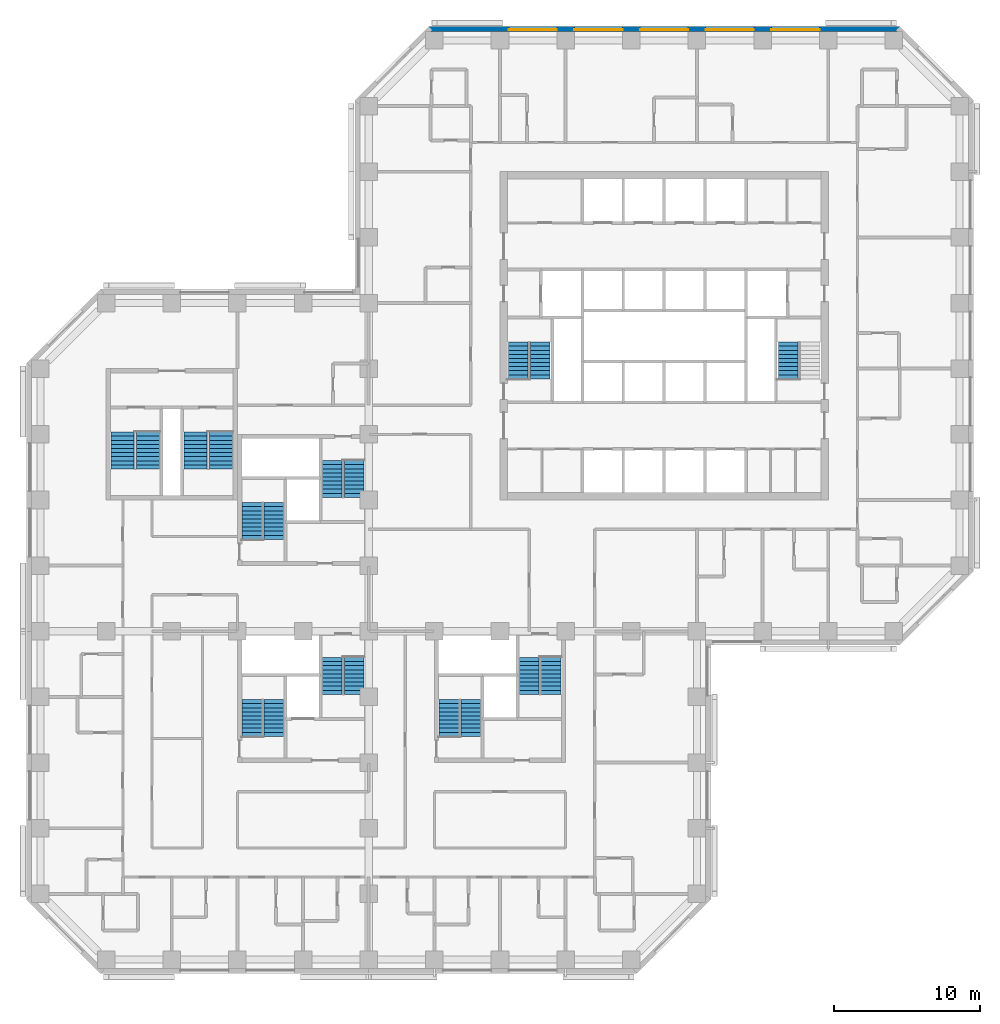
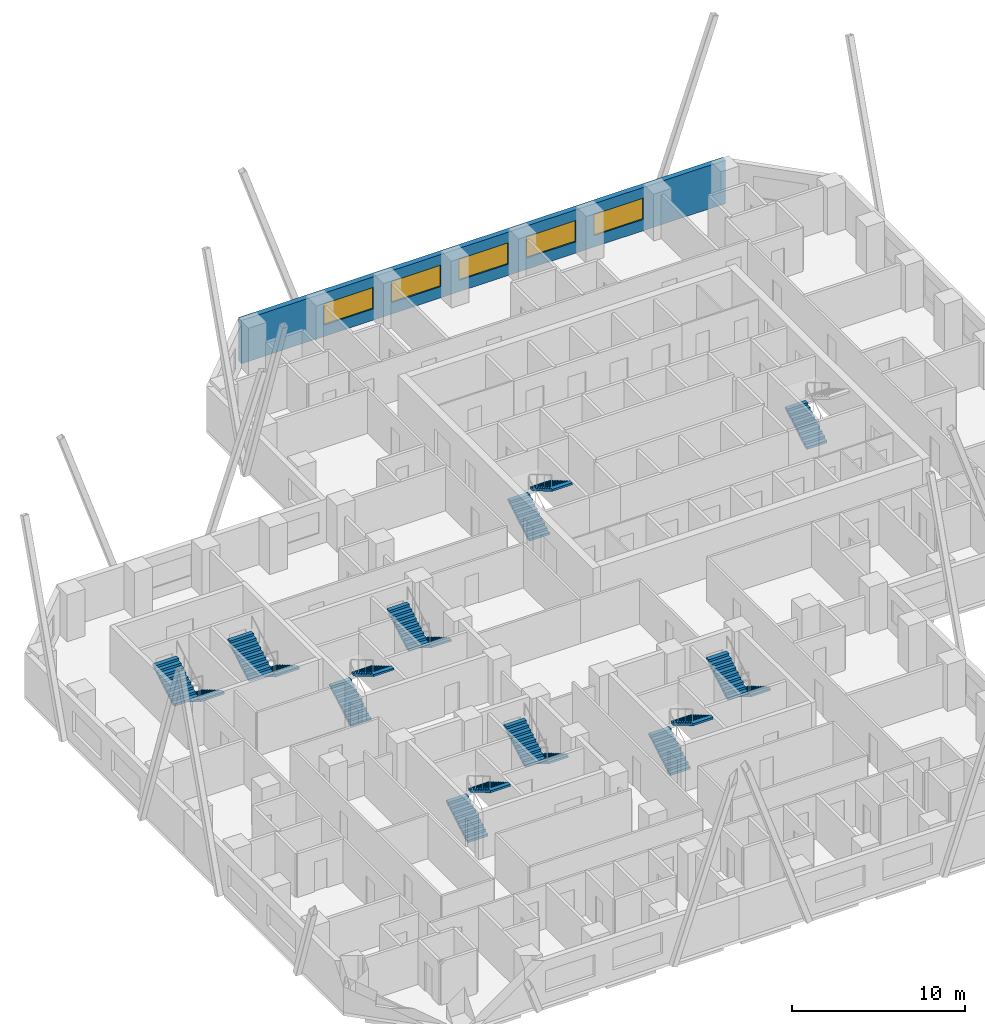
# One storey, part 11 of 13: 19 stair flights, 5 windows, 1 wall, 5 openings, 10 elements without a shape of their own.
"""IFC4 building model written with IfcOpenShell, lengths in metres."""

from ifc_helpers import new_model, si_unit, direction, frame, frame_2d, origin, place, context, subcontext, project, spatial, polyline, rectangle, outline, extrude, material, layer, layer_set, constituent, constituent_set, type_object, element, fill, aggregate, save


model = new_model("IFC4")

# Units and contexts
model_context = context("Model", 3, precision=1e-05, world=origin(), true_north=direction((0.0, 1.0)))
body_context = subcontext(model_context, "Body", "Model", "MODEL_VIEW")
ifc_project = project(units=[si_unit("LENGTHUNIT", "METRE"), si_unit("AREAUNIT", "SQUARE_METRE"), si_unit("VOLUMEUNIT", "CUBIC_METRE"), si_unit("PLANEANGLEUNIT", "RADIAN"), si_unit("MASSUNIT", "GRAM", prefix="KILO")], contexts=[model_context])

# Site, building, storey
site_placement = place(None, origin())
site = spatial("IfcSite", under=ifc_project, at=site_placement, CompositionType="ELEMENT")
building_placement = place(site_placement, origin())
building = spatial("IfcBuilding", under=site, at=building_placement, Name="Quoin Convention Tower", CompositionType="ELEMENT")
storey_placement = place(building_placement, frame((0.0, 0.0, 26.39990234375)))
storey = spatial("IfcBuildingStorey", under=building, at=storey_placement, Name="L05", CompositionType="ELEMENT", Elevation=26.39990234375)

# Wall, openings, windows
ifc_material_1 = material(Name="Brick masonry", Category="masonry")
ifc_layer = layer(ifc_material_1, 0.35009765625)
ifc_layer_set = layer_set([ifc_layer], Name="Brick masonry")
wall_type = type_object("IfcWallType", Name="Brick facade wall", PredefinedType="STANDARD", material=ifc_layer_set)
wall_placement = place(storey_placement, frame((72.3935546875, 81.77490234375, 0.0), z_axis=(0.0, 0.0, 1.0), x_axis=(-1.0, 0.0, 0.0)))
wall = element("IfcWall", 1, at=wall_placement, inside=storey, type_object=wall_type, Name="fw-L05-72000_81000", PredefinedType="STANDARD", context=body_context, shape_type="SweptSolid", body=[
    extrude(rectangle(XDim=32.287109375, YDim=0.35009765625, at=frame_2d((16.1435546875, 0.0))), origin(), (0.0, 0.0, 1.0), 3.05517578125),
])
opening_1_placement = place(wall_placement, frame((5.493408203125, 0.0, 0.800048828125)))
opening_1 = element("IfcOpeningElement", 2, at=opening_1_placement, cuts=wall, Name="Opening W-01", PredefinedType="OPENING", context=body_context, shape_type="SweptSolid", body=[
    extrude(rectangle(XDim=3.300048828125, YDim=1.5, at=frame_2d((1.64990234375, 0.75))), frame((0.0, 0.18505859375, 0.0), z_axis=(0.0, -1.0, 0.0), x_axis=(1.0, 0.0, 0.0)), (0.0, 0.0, 1.0), 0.3701171875),
])
opening_2_placement = place(wall_placement, frame((9.993408203125, 0.0, 0.800048828125)))
opening_2 = element("IfcOpeningElement", 3, at=opening_2_placement, cuts=wall, Name="Opening W-01", PredefinedType="OPENING", context=body_context, shape_type="SweptSolid", body=[
    extrude(rectangle(XDim=3.300048828125, YDim=1.5, at=frame_2d((1.64990234375, 0.75))), frame((0.0, 0.18505859375, 0.0), z_axis=(0.0, -1.0, 0.0), x_axis=(1.0, 0.0, 0.0)), (0.0, 0.0, 1.0), 0.3701171875),
])
opening_3_placement = place(wall_placement, frame((14.493408203125, 0.0, 0.800048828125)))
opening_3 = element("IfcOpeningElement", 4, at=opening_3_placement, cuts=wall, Name="Opening W-01", PredefinedType="OPENING", context=body_context, shape_type="SweptSolid", body=[
    extrude(rectangle(XDim=3.300048828125, YDim=1.5, at=frame_2d((1.64990234375, 0.75))), frame((0.0, 0.18505859375, 0.0), z_axis=(0.0, -1.0, 0.0), x_axis=(1.0, 0.0, 0.0)), (0.0, 0.0, 1.0), 0.3701171875),
])
opening_4_placement = place(wall_placement, frame((18.993408203125, 0.0, 0.800048828125)))
opening_4 = element("IfcOpeningElement", 5, at=opening_4_placement, cuts=wall, Name="Opening W-01", PredefinedType="OPENING", context=body_context, shape_type="SweptSolid", body=[
    extrude(rectangle(XDim=3.300048828125, YDim=1.5, at=frame_2d((1.64990234375, 0.75))), frame((0.0, 0.18505859375, 0.0), z_axis=(0.0, -1.0, 0.0), x_axis=(1.0, 0.0, 0.0)), (0.0, 0.0, 1.0), 0.3701171875),
])
opening_5_placement = place(wall_placement, frame((23.493408203125, 0.0, 0.800048828125)))
opening_5 = element("IfcOpeningElement", 6, at=opening_5_placement, cuts=wall, Name="Opening W-01", PredefinedType="OPENING", context=body_context, shape_type="SweptSolid", body=[
    extrude(rectangle(XDim=3.300048828125, YDim=1.5, at=frame_2d((1.64990234375, 0.75))), frame((0.0, 0.18505859375, 0.0), z_axis=(0.0, -1.0, 0.0), x_axis=(1.0, 0.0, 0.0)), (0.0, 0.0, 1.0), 0.3701171875),
])
ifc_material_2 = material(Name="Aluminium", Category="aluminium")
ifc_constituent_1 = constituent(ifc_material_2, Name="Frame")
ifc_material_3 = material(Name="Insulated glass", Category="glass")
ifc_constituent_2 = constituent(ifc_material_3, Name="Glazing")
ifc_constituent_set = constituent_set(constituents=[ifc_constituent_1, ifc_constituent_2], Name="Aluminium")
window_type = type_object("IfcWindowType", Name="Hotel strip window", PartitioningType="DOUBLE_PANEL_VERTICAL", PredefinedType="WINDOW", material=ifc_constituent_set)
window_1_placement = place(opening_1_placement, origin())
window_1 = element("IfcWindow", 7, at=window_1_placement, inside=storey, type_object=window_type, Name="win-L05-65250_81775", OverallHeight=1.5, OverallWidth=3.300048828125, PartitioningType="SINGLE_PANEL", PredefinedType="WINDOW", context=body_context, shape_type="SweptSolid", body=[
    extrude(rectangle(XDim=3.300048828125, YDim=1.5, at=frame_2d((1.64990234375, 0.75))), frame((0.0, 0.0849609375, 0.0), z_axis=(0.0, -1.0, 0.0), x_axis=(1.0, 0.0, 0.0)), (0.0, 0.0, 1.0), 0.06005859375),
])
fill(opening_1, window_1)
window_2_placement = place(opening_2_placement, origin())
window_2 = element("IfcWindow", 8, at=window_2_placement, inside=storey, type_object=window_type, Name="win-L05-60750_81775", OverallHeight=1.5, OverallWidth=3.300048828125, PartitioningType="SINGLE_PANEL", PredefinedType="WINDOW", context=body_context, shape_type="SweptSolid", body=[
    extrude(rectangle(XDim=3.300048828125, YDim=1.5, at=frame_2d((1.64990234375, 0.75))), frame((0.0, 0.0849609375, 0.0), z_axis=(0.0, -1.0, 0.0), x_axis=(1.0, 0.0, 0.0)), (0.0, 0.0, 1.0), 0.06005859375),
])
fill(opening_2, window_2)
window_3_placement = place(opening_3_placement, origin())
window_3 = element("IfcWindow", 9, at=window_3_placement, inside=storey, type_object=window_type, Name="win-L05-56250_81775", OverallHeight=1.5, OverallWidth=3.300048828125, PartitioningType="SINGLE_PANEL", PredefinedType="WINDOW", context=body_context, shape_type="SweptSolid", body=[
    extrude(rectangle(XDim=3.300048828125, YDim=1.5, at=frame_2d((1.64990234375, 0.75))), frame((0.0, 0.0849609375, 0.0), z_axis=(0.0, -1.0, 0.0), x_axis=(1.0, 0.0, 0.0)), (0.0, 0.0, 1.0), 0.06005859375),
])
fill(opening_3, window_3)
window_4_placement = place(opening_4_placement, origin())
window_4 = element("IfcWindow", 10, at=window_4_placement, inside=storey, type_object=window_type, Name="win-L05-51750_81775", OverallHeight=1.5, OverallWidth=3.300048828125, PartitioningType="SINGLE_PANEL", PredefinedType="WINDOW", context=body_context, shape_type="SweptSolid", body=[
    extrude(rectangle(XDim=3.300048828125, YDim=1.5, at=frame_2d((1.64990234375, 0.75))), frame((0.0, 0.0849609375, 0.0), z_axis=(0.0, -1.0, 0.0), x_axis=(1.0, 0.0, 0.0)), (0.0, 0.0, 1.0), 0.06005859375),
])
fill(opening_4, window_4)
window_5_placement = place(opening_5_placement, origin())
window_5 = element("IfcWindow", 11, at=window_5_placement, inside=storey, type_object=window_type, Name="win-L05-47250_81775", OverallHeight=1.5, OverallWidth=3.300048828125, PartitioningType="SINGLE_PANEL", PredefinedType="WINDOW", context=body_context, shape_type="SweptSolid", body=[
    extrude(rectangle(XDim=3.300048828125, YDim=1.5, at=frame_2d((1.64990234375, 0.75))), frame((0.0, 0.0849609375, 0.0), z_axis=(0.0, -1.0, 0.0), x_axis=(1.0, 0.0, 0.0)), (0.0, 0.0, 1.0), 0.06005859375),
])
fill(opening_5, window_5)

# Stair, stair flights
ifc_material_4 = material(Name="Concrete C40", Category="concrete")
stair_type_1 = type_object("IfcStairType", Name="Exit stair two-flight 1350", PredefinedType="HALF_TURN_STAIR", material=ifc_material_4)
stair_1_placement = place(storey_placement, origin())
stair_1 = element("IfcStair", 12, at=stair_1_placement, inside=storey, type_object=stair_type_1, Name="SD1 L05", PredefinedType="HALF_TURN_STAIR")
stair_flight_type_1 = type_object("IfcStairFlightType", Name="Stair flight 1350", PredefinedType="STRAIGHT", material=ifc_material_4)
stair_flight_1_placement = place(storey_placement, frame((46.25, 57.800048828125, 0.0), z_axis=(0.0, 0.0, 1.0), x_axis=(0.0, 1.0, 0.0)))
stair_flight_1 = element("IfcStairFlight", 13, at=stair_flight_1_placement, type_object=stair_flight_type_1, Name="ST1 flight 1", NumberOfRisers=10, NumberOfTreads=9, PredefinedType="STRAIGHT", RiserHeight=0.165, TreadLength=0.28, context=body_context, shape_type="SweptSolid", body=[
    extrude(outline(polyline([(0.0, 0.0), (0.0, 0.1650390625), (0.280029296875, 0.1650390625), (0.280029296875, 0.330078125), (0.56005859375, 0.330078125), (0.56005859375, 0.4951171875), (0.840087890625, 0.4951171875), (0.840087890625, 0.659912109375), (1.1201171875, 0.659912109375), (1.1201171875, 0.824951171875), (1.39990234375, 0.824951171875), (1.39990234375, 0.989990234375), (1.679931640625, 0.989990234375), (1.679931640625, 1.155029296875), (1.9599609375, 1.155029296875), (1.9599609375, 1.320068359375), (2.239990234375, 1.320068359375), (2.239990234375, 1.485107421875), (2.52001953125, 1.485107421875), (2.52001953125, 1.64990234375), (2.52001953125, 1.345458984375), (0.236572265625, 0.0), (0.0, 0.0)])), frame((0.0, 0.675048828125, 0.0), z_axis=(0.0, -1.0, 0.0), x_axis=(1.0, 0.0, 0.0)), (0.0, 0.0, 1.0), 1.35009765625),
])
stair_flight_2_placement = place(storey_placement, frame((47.75, 60.320068359375, 1.650146484375), z_axis=(0.0, 0.0, 1.0), x_axis=(0.0, -1.0, 0.0)))
stair_flight_2 = element("IfcStairFlight", 14, at=stair_flight_2_placement, type_object=stair_flight_type_1, Name="ST1 flight 2", NumberOfRisers=10, NumberOfTreads=9, PredefinedType="STRAIGHT", RiserHeight=0.165, TreadLength=0.28, context=body_context, shape_type="SweptSolid", body=[
    extrude(outline(polyline([(0.0, 0.0), (0.0, 0.1650390625), (0.280029296875, 0.1650390625), (0.280029296875, 0.330078125), (0.56005859375, 0.330078125), (0.56005859375, 0.4951171875), (0.840087890625, 0.4951171875), (0.840087890625, 0.659912109375), (1.1201171875, 0.659912109375), (1.1201171875, 0.824951171875), (1.39990234375, 0.824951171875), (1.39990234375, 0.989990234375), (1.679931640625, 0.989990234375), (1.679931640625, 1.155029296875), (1.9599609375, 1.155029296875), (1.9599609375, 1.320068359375), (2.239990234375, 1.320068359375), (2.239990234375, 1.485107421875), (2.52001953125, 1.485107421875), (2.52001953125, 1.64990234375), (2.52001953125, 1.345458984375), (0.236572265625, 0.0), (0.0, 0.0)])), frame((0.0, 0.675048828125, 0.0), z_axis=(0.0, -1.0, 0.0), x_axis=(1.0, 0.0, 0.0)), (0.0, 0.0, 1.0), 1.35009765625),
])
aggregate(stair_1, [stair_flight_1, stair_flight_2])

# Stair, stair flight
stair_2_placement = place(storey_placement, origin())
stair_2 = element("IfcStair", 15, at=stair_2_placement, inside=storey, type_object=stair_type_1, Name="SD2 L05", PredefinedType="HALF_TURN_STAIR")
stair_flight_3_placement = place(storey_placement, frame((64.75, 57.800048828125, 0.0), z_axis=(0.0, 0.0, 1.0), x_axis=(0.0, 1.0, 0.0)))
stair_flight_3 = element("IfcStairFlight", 16, at=stair_flight_3_placement, type_object=stair_flight_type_1, Name="ST2 flight 1", NumberOfRisers=10, NumberOfTreads=9, PredefinedType="STRAIGHT", RiserHeight=0.165, TreadLength=0.28, context=body_context, shape_type="SweptSolid", body=[
    extrude(outline(polyline([(0.0, 0.0), (0.0, 0.1650390625), (0.280029296875, 0.1650390625), (0.280029296875, 0.330078125), (0.56005859375, 0.330078125), (0.56005859375, 0.4951171875), (0.840087890625, 0.4951171875), (0.840087890625, 0.659912109375), (1.1201171875, 0.659912109375), (1.1201171875, 0.824951171875), (1.39990234375, 0.824951171875), (1.39990234375, 0.989990234375), (1.679931640625, 0.989990234375), (1.679931640625, 1.155029296875), (1.9599609375, 1.155029296875), (1.9599609375, 1.320068359375), (2.239990234375, 1.320068359375), (2.239990234375, 1.485107421875), (2.52001953125, 1.485107421875), (2.52001953125, 1.64990234375), (2.52001953125, 1.345458984375), (0.236572265625, 0.0), (0.0, 0.0)])), frame((0.0, 0.675048828125, 0.0), z_axis=(0.0, -1.0, 0.0), x_axis=(1.0, 0.0, 0.0)), (0.0, 0.0, 1.0), 1.35009765625),
])
aggregate(stair_2, [stair_flight_3])

# Stair, stair flights
stair_3_placement = place(storey_placement, origin())
stair_3 = element("IfcStair", 17, at=stair_3_placement, inside=storey, type_object=stair_type_1, Name="SD3 L05", PredefinedType="HALF_TURN_STAIR")
stair_flight_4_placement = place(storey_placement, frame((28.0, 46.800048828125, 0.0), z_axis=(0.0, 0.0, 1.0), x_axis=(0.0, 1.0, 0.0)))
stair_flight_4 = element("IfcStairFlight", 18, at=stair_flight_4_placement, type_object=stair_flight_type_1, Name="ST3 flight 1", NumberOfRisers=10, NumberOfTreads=9, PredefinedType="STRAIGHT", RiserHeight=0.165, TreadLength=0.28, context=body_context, shape_type="SweptSolid", body=[
    extrude(outline(polyline([(0.0, 0.0), (0.0, 0.1650390625), (0.280029296875, 0.1650390625), (0.280029296875, 0.330078125), (0.56005859375, 0.330078125), (0.56005859375, 0.4951171875), (0.840087890625, 0.4951171875), (0.840087890625, 0.659912109375), (1.1201171875, 0.659912109375), (1.1201171875, 0.824951171875), (1.39990234375, 0.824951171875), (1.39990234375, 0.989990234375), (1.679931640625, 0.989990234375), (1.679931640625, 1.155029296875), (1.9599609375, 1.155029296875), (1.9599609375, 1.320068359375), (2.239990234375, 1.320068359375), (2.239990234375, 1.485107421875), (2.52001953125, 1.485107421875), (2.52001953125, 1.64990234375), (2.52001953125, 1.345458984375), (0.236572265625, 0.0), (0.0, 0.0)])), frame((0.0, 0.675048828125, 0.0), z_axis=(0.0, -1.0, 0.0), x_axis=(1.0, 0.0, 0.0)), (0.0, 0.0, 1.0), 1.35009765625),
])
stair_flight_5_placement = place(storey_placement, frame((29.5, 49.320068359375, 1.650146484375), z_axis=(0.0, 0.0, 1.0), x_axis=(0.0, -1.0, 0.0)))
stair_flight_5 = element("IfcStairFlight", 19, at=stair_flight_5_placement, type_object=stair_flight_type_1, Name="ST3 flight 2", NumberOfRisers=10, NumberOfTreads=9, PredefinedType="STRAIGHT", RiserHeight=0.165, TreadLength=0.28, context=body_context, shape_type="SweptSolid", body=[
    extrude(outline(polyline([(0.0, 0.0), (0.0, 0.1650390625), (0.280029296875, 0.1650390625), (0.280029296875, 0.330078125), (0.56005859375, 0.330078125), (0.56005859375, 0.4951171875), (0.840087890625, 0.4951171875), (0.840087890625, 0.659912109375), (1.1201171875, 0.659912109375), (1.1201171875, 0.824951171875), (1.39990234375, 0.824951171875), (1.39990234375, 0.989990234375), (1.679931640625, 0.989990234375), (1.679931640625, 1.155029296875), (1.9599609375, 1.155029296875), (1.9599609375, 1.320068359375), (2.239990234375, 1.320068359375), (2.239990234375, 1.485107421875), (2.52001953125, 1.485107421875), (2.52001953125, 1.64990234375), (2.52001953125, 1.345458984375), (0.236572265625, 0.0), (0.0, 0.0)])), frame((0.0, 0.675048828125, 0.0), z_axis=(0.0, -1.0, 0.0), x_axis=(1.0, 0.0, 0.0)), (0.0, 0.0, 1.0), 1.35009765625),
])
aggregate(stair_3, [stair_flight_4, stair_flight_5])

stair_4_placement = place(storey_placement, origin())
stair_4 = element("IfcStair", 20, at=stair_4_placement, inside=storey, type_object=stair_type_1, Name="SD4 L05", PredefinedType="HALF_TURN_STAIR")
stair_flight_6_placement = place(storey_placement, frame((35.0, 52.199951171875, 0.0), z_axis=(0.0, 0.0, 1.0), x_axis=(0.0, -1.0, 0.0)))
stair_flight_6 = element("IfcStairFlight", 21, at=stair_flight_6_placement, type_object=stair_flight_type_1, Name="ST4 flight 1", NumberOfRisers=10, NumberOfTreads=9, PredefinedType="STRAIGHT", RiserHeight=0.165, TreadLength=0.28, context=body_context, shape_type="SweptSolid", body=[
    extrude(outline(polyline([(0.0, 0.0), (0.0, 0.1650390625), (0.280029296875, 0.1650390625), (0.280029296875, 0.330078125), (0.56005859375, 0.330078125), (0.56005859375, 0.4951171875), (0.840087890625, 0.4951171875), (0.840087890625, 0.659912109375), (1.1201171875, 0.659912109375), (1.1201171875, 0.824951171875), (1.39990234375, 0.824951171875), (1.39990234375, 0.989990234375), (1.679931640625, 0.989990234375), (1.679931640625, 1.155029296875), (1.9599609375, 1.155029296875), (1.9599609375, 1.320068359375), (2.239990234375, 1.320068359375), (2.239990234375, 1.485107421875), (2.52001953125, 1.485107421875), (2.52001953125, 1.64990234375), (2.52001953125, 1.345458984375), (0.236572265625, 0.0), (0.0, 0.0)])), frame((0.0, 0.675048828125, 0.0), z_axis=(0.0, -1.0, 0.0), x_axis=(1.0, 0.0, 0.0)), (0.0, 0.0, 1.0), 1.35009765625),
])
stair_flight_7_placement = place(storey_placement, frame((33.5, 49.679931640625, 1.650146484375), z_axis=(0.0, 0.0, 1.0), x_axis=(0.0, 1.0, 0.0)))
stair_flight_7 = element("IfcStairFlight", 22, at=stair_flight_7_placement, type_object=stair_flight_type_1, Name="ST4 flight 2", NumberOfRisers=10, NumberOfTreads=9, PredefinedType="STRAIGHT", RiserHeight=0.165, TreadLength=0.28, context=body_context, shape_type="SweptSolid", body=[
    extrude(outline(polyline([(0.0, 0.0), (0.0, 0.1650390625), (0.280029296875, 0.1650390625), (0.280029296875, 0.330078125), (0.56005859375, 0.330078125), (0.56005859375, 0.4951171875), (0.840087890625, 0.4951171875), (0.840087890625, 0.659912109375), (1.1201171875, 0.659912109375), (1.1201171875, 0.824951171875), (1.39990234375, 0.824951171875), (1.39990234375, 0.989990234375), (1.679931640625, 0.989990234375), (1.679931640625, 1.155029296875), (1.9599609375, 1.155029296875), (1.9599609375, 1.320068359375), (2.239990234375, 1.320068359375), (2.239990234375, 1.485107421875), (2.52001953125, 1.485107421875), (2.52001953125, 1.64990234375), (2.52001953125, 1.345458984375), (0.236572265625, 0.0), (0.0, 0.0)])), frame((0.0, 0.675048828125, 0.0), z_axis=(0.0, -1.0, 0.0), x_axis=(1.0, 0.0, 0.0)), (0.0, 0.0, 1.0), 1.35009765625),
])
aggregate(stair_4, [stair_flight_6, stair_flight_7])

stair_5_placement = place(storey_placement, origin())
stair_5 = element("IfcStair", 23, at=stair_5_placement, inside=storey, type_object=stair_type_1, Name="SD5 L05", PredefinedType="HALF_TURN_STAIR")
stair_flight_8_placement = place(storey_placement, frame((41.5, 33.300048828125, 0.0), z_axis=(0.0, 0.0, 1.0), x_axis=(0.0, 1.0, 0.0)))
stair_flight_8 = element("IfcStairFlight", 24, at=stair_flight_8_placement, type_object=stair_flight_type_1, Name="ST5 flight 1", NumberOfRisers=10, NumberOfTreads=9, PredefinedType="STRAIGHT", RiserHeight=0.165, TreadLength=0.28, context=body_context, shape_type="SweptSolid", body=[
    extrude(outline(polyline([(0.0, 0.0), (0.0, 0.1650390625), (0.280029296875, 0.1650390625), (0.280029296875, 0.330078125), (0.56005859375, 0.330078125), (0.56005859375, 0.4951171875), (0.840087890625, 0.4951171875), (0.840087890625, 0.659912109375), (1.1201171875, 0.659912109375), (1.1201171875, 0.824951171875), (1.39990234375, 0.824951171875), (1.39990234375, 0.989990234375), (1.679931640625, 0.989990234375), (1.679931640625, 1.155029296875), (1.9599609375, 1.155029296875), (1.9599609375, 1.320068359375), (2.239990234375, 1.320068359375), (2.239990234375, 1.485107421875), (2.52001953125, 1.485107421875), (2.52001953125, 1.64990234375), (2.52001953125, 1.345458984375), (0.236572265625, 0.0), (0.0, 0.0)])), frame((0.0, 0.675048828125, 0.0), z_axis=(0.0, -1.0, 0.0), x_axis=(1.0, 0.0, 0.0)), (0.0, 0.0, 1.0), 1.35009765625),
])
stair_flight_9_placement = place(storey_placement, frame((43.0, 35.820068359375, 1.650146484375), z_axis=(0.0, 0.0, 1.0), x_axis=(0.0, -1.0, 0.0)))
stair_flight_9 = element("IfcStairFlight", 25, at=stair_flight_9_placement, type_object=stair_flight_type_1, Name="ST5 flight 2", NumberOfRisers=10, NumberOfTreads=9, PredefinedType="STRAIGHT", RiserHeight=0.165, TreadLength=0.28, context=body_context, shape_type="SweptSolid", body=[
    extrude(outline(polyline([(0.0, 0.0), (0.0, 0.1650390625), (0.280029296875, 0.1650390625), (0.280029296875, 0.330078125), (0.56005859375, 0.330078125), (0.56005859375, 0.4951171875), (0.840087890625, 0.4951171875), (0.840087890625, 0.659912109375), (1.1201171875, 0.659912109375), (1.1201171875, 0.824951171875), (1.39990234375, 0.824951171875), (1.39990234375, 0.989990234375), (1.679931640625, 0.989990234375), (1.679931640625, 1.155029296875), (1.9599609375, 1.155029296875), (1.9599609375, 1.320068359375), (2.239990234375, 1.320068359375), (2.239990234375, 1.485107421875), (2.52001953125, 1.485107421875), (2.52001953125, 1.64990234375), (2.52001953125, 1.345458984375), (0.236572265625, 0.0), (0.0, 0.0)])), frame((0.0, 0.675048828125, 0.0), z_axis=(0.0, -1.0, 0.0), x_axis=(1.0, 0.0, 0.0)), (0.0, 0.0, 1.0), 1.35009765625),
])
aggregate(stair_5, [stair_flight_8, stair_flight_9])

stair_6_placement = place(storey_placement, origin())
stair_6 = element("IfcStair", 26, at=stair_6_placement, inside=storey, type_object=stair_type_1, Name="SD6 L05", PredefinedType="HALF_TURN_STAIR")
stair_flight_10_placement = place(storey_placement, frame((48.5, 38.699951171875, 0.0), z_axis=(0.0, 0.0, 1.0), x_axis=(0.0, -1.0, 0.0)))
stair_flight_10 = element("IfcStairFlight", 27, at=stair_flight_10_placement, type_object=stair_flight_type_1, Name="ST6 flight 1", NumberOfRisers=10, NumberOfTreads=9, PredefinedType="STRAIGHT", RiserHeight=0.165, TreadLength=0.28, context=body_context, shape_type="SweptSolid", body=[
    extrude(outline(polyline([(0.0, 0.0), (0.0, 0.1650390625), (0.280029296875, 0.1650390625), (0.280029296875, 0.330078125), (0.56005859375, 0.330078125), (0.56005859375, 0.4951171875), (0.840087890625, 0.4951171875), (0.840087890625, 0.659912109375), (1.1201171875, 0.659912109375), (1.1201171875, 0.824951171875), (1.39990234375, 0.824951171875), (1.39990234375, 0.989990234375), (1.679931640625, 0.989990234375), (1.679931640625, 1.155029296875), (1.9599609375, 1.155029296875), (1.9599609375, 1.320068359375), (2.239990234375, 1.320068359375), (2.239990234375, 1.485107421875), (2.52001953125, 1.485107421875), (2.52001953125, 1.64990234375), (2.52001953125, 1.345458984375), (0.236572265625, 0.0), (0.0, 0.0)])), frame((0.0, 0.675048828125, 0.0), z_axis=(0.0, -1.0, 0.0), x_axis=(1.0, 0.0, 0.0)), (0.0, 0.0, 1.0), 1.35009765625),
])
stair_flight_11_placement = place(storey_placement, frame((47.0, 36.179931640625, 1.650146484375), z_axis=(0.0, 0.0, 1.0), x_axis=(0.0, 1.0, 0.0)))
stair_flight_11 = element("IfcStairFlight", 28, at=stair_flight_11_placement, type_object=stair_flight_type_1, Name="ST6 flight 2", NumberOfRisers=10, NumberOfTreads=9, PredefinedType="STRAIGHT", RiserHeight=0.165, TreadLength=0.28, context=body_context, shape_type="SweptSolid", body=[
    extrude(outline(polyline([(0.0, 0.0), (0.0, 0.1650390625), (0.280029296875, 0.1650390625), (0.280029296875, 0.330078125), (0.56005859375, 0.330078125), (0.56005859375, 0.4951171875), (0.840087890625, 0.4951171875), (0.840087890625, 0.659912109375), (1.1201171875, 0.659912109375), (1.1201171875, 0.824951171875), (1.39990234375, 0.824951171875), (1.39990234375, 0.989990234375), (1.679931640625, 0.989990234375), (1.679931640625, 1.155029296875), (1.9599609375, 1.155029296875), (1.9599609375, 1.320068359375), (2.239990234375, 1.320068359375), (2.239990234375, 1.485107421875), (2.52001953125, 1.485107421875), (2.52001953125, 1.64990234375), (2.52001953125, 1.345458984375), (0.236572265625, 0.0), (0.0, 0.0)])), frame((0.0, 0.675048828125, 0.0), z_axis=(0.0, -1.0, 0.0), x_axis=(1.0, 0.0, 0.0)), (0.0, 0.0, 1.0), 1.35009765625),
])
aggregate(stair_6, [stair_flight_10, stair_flight_11])

stair_7_placement = place(storey_placement, origin())
stair_7 = element("IfcStair", 29, at=stair_7_placement, inside=storey, type_object=stair_type_1, Name="SD7 L05", PredefinedType="HALF_TURN_STAIR")
stair_flight_12_placement = place(storey_placement, frame((28.0, 33.300048828125, 0.0), z_axis=(0.0, 0.0, 1.0), x_axis=(0.0, 1.0, 0.0)))
stair_flight_12 = element("IfcStairFlight", 30, at=stair_flight_12_placement, type_object=stair_flight_type_1, Name="ST7 flight 1", NumberOfRisers=10, NumberOfTreads=9, PredefinedType="STRAIGHT", RiserHeight=0.165, TreadLength=0.28, context=body_context, shape_type="SweptSolid", body=[
    extrude(outline(polyline([(0.0, 0.0), (0.0, 0.1650390625), (0.280029296875, 0.1650390625), (0.280029296875, 0.330078125), (0.56005859375, 0.330078125), (0.56005859375, 0.4951171875), (0.840087890625, 0.4951171875), (0.840087890625, 0.659912109375), (1.1201171875, 0.659912109375), (1.1201171875, 0.824951171875), (1.39990234375, 0.824951171875), (1.39990234375, 0.989990234375), (1.679931640625, 0.989990234375), (1.679931640625, 1.155029296875), (1.9599609375, 1.155029296875), (1.9599609375, 1.320068359375), (2.239990234375, 1.320068359375), (2.239990234375, 1.485107421875), (2.52001953125, 1.485107421875), (2.52001953125, 1.64990234375), (2.52001953125, 1.345458984375), (0.236572265625, 0.0), (0.0, 0.0)])), frame((0.0, 0.675048828125, 0.0), z_axis=(0.0, -1.0, 0.0), x_axis=(1.0, 0.0, 0.0)), (0.0, 0.0, 1.0), 1.35009765625),
])
stair_flight_13_placement = place(storey_placement, frame((29.5, 35.820068359375, 1.650146484375), z_axis=(0.0, 0.0, 1.0), x_axis=(0.0, -1.0, 0.0)))
stair_flight_13 = element("IfcStairFlight", 31, at=stair_flight_13_placement, type_object=stair_flight_type_1, Name="ST7 flight 2", NumberOfRisers=10, NumberOfTreads=9, PredefinedType="STRAIGHT", RiserHeight=0.165, TreadLength=0.28, context=body_context, shape_type="SweptSolid", body=[
    extrude(outline(polyline([(0.0, 0.0), (0.0, 0.1650390625), (0.280029296875, 0.1650390625), (0.280029296875, 0.330078125), (0.56005859375, 0.330078125), (0.56005859375, 0.4951171875), (0.840087890625, 0.4951171875), (0.840087890625, 0.659912109375), (1.1201171875, 0.659912109375), (1.1201171875, 0.824951171875), (1.39990234375, 0.824951171875), (1.39990234375, 0.989990234375), (1.679931640625, 0.989990234375), (1.679931640625, 1.155029296875), (1.9599609375, 1.155029296875), (1.9599609375, 1.320068359375), (2.239990234375, 1.320068359375), (2.239990234375, 1.485107421875), (2.52001953125, 1.485107421875), (2.52001953125, 1.64990234375), (2.52001953125, 1.345458984375), (0.236572265625, 0.0), (0.0, 0.0)])), frame((0.0, 0.675048828125, 0.0), z_axis=(0.0, -1.0, 0.0), x_axis=(1.0, 0.0, 0.0)), (0.0, 0.0, 1.0), 1.35009765625),
])
aggregate(stair_7, [stair_flight_12, stair_flight_13])

stair_8_placement = place(storey_placement, origin())
stair_8 = element("IfcStair", 32, at=stair_8_placement, inside=storey, type_object=stair_type_1, Name="SD8 L05", PredefinedType="HALF_TURN_STAIR")
stair_flight_14_placement = place(storey_placement, frame((35.0, 38.699951171875, 0.0), z_axis=(0.0, 0.0, 1.0), x_axis=(0.0, -1.0, 0.0)))
stair_flight_14 = element("IfcStairFlight", 33, at=stair_flight_14_placement, type_object=stair_flight_type_1, Name="ST8 flight 1", NumberOfRisers=10, NumberOfTreads=9, PredefinedType="STRAIGHT", RiserHeight=0.165, TreadLength=0.28, context=body_context, shape_type="SweptSolid", body=[
    extrude(outline(polyline([(0.0, 0.0), (0.0, 0.1650390625), (0.280029296875, 0.1650390625), (0.280029296875, 0.330078125), (0.56005859375, 0.330078125), (0.56005859375, 0.4951171875), (0.840087890625, 0.4951171875), (0.840087890625, 0.659912109375), (1.1201171875, 0.659912109375), (1.1201171875, 0.824951171875), (1.39990234375, 0.824951171875), (1.39990234375, 0.989990234375), (1.679931640625, 0.989990234375), (1.679931640625, 1.155029296875), (1.9599609375, 1.155029296875), (1.9599609375, 1.320068359375), (2.239990234375, 1.320068359375), (2.239990234375, 1.485107421875), (2.52001953125, 1.485107421875), (2.52001953125, 1.64990234375), (2.52001953125, 1.345458984375), (0.236572265625, 0.0), (0.0, 0.0)])), frame((0.0, 0.675048828125, 0.0), z_axis=(0.0, -1.0, 0.0), x_axis=(1.0, 0.0, 0.0)), (0.0, 0.0, 1.0), 1.35009765625),
])
stair_flight_15_placement = place(storey_placement, frame((33.5, 36.179931640625, 1.650146484375), z_axis=(0.0, 0.0, 1.0), x_axis=(0.0, 1.0, 0.0)))
stair_flight_15 = element("IfcStairFlight", 34, at=stair_flight_15_placement, type_object=stair_flight_type_1, Name="ST8 flight 2", NumberOfRisers=10, NumberOfTreads=9, PredefinedType="STRAIGHT", RiserHeight=0.165, TreadLength=0.28, context=body_context, shape_type="SweptSolid", body=[
    extrude(outline(polyline([(0.0, 0.0), (0.0, 0.1650390625), (0.280029296875, 0.1650390625), (0.280029296875, 0.330078125), (0.56005859375, 0.330078125), (0.56005859375, 0.4951171875), (0.840087890625, 0.4951171875), (0.840087890625, 0.659912109375), (1.1201171875, 0.659912109375), (1.1201171875, 0.824951171875), (1.39990234375, 0.824951171875), (1.39990234375, 0.989990234375), (1.679931640625, 0.989990234375), (1.679931640625, 1.155029296875), (1.9599609375, 1.155029296875), (1.9599609375, 1.320068359375), (2.239990234375, 1.320068359375), (2.239990234375, 1.485107421875), (2.52001953125, 1.485107421875), (2.52001953125, 1.64990234375), (2.52001953125, 1.345458984375), (0.236572265625, 0.0), (0.0, 0.0)])), frame((0.0, 0.675048828125, 0.0), z_axis=(0.0, -1.0, 0.0), x_axis=(1.0, 0.0, 0.0)), (0.0, 0.0, 1.0), 1.35009765625),
])
aggregate(stair_8, [stair_flight_14, stair_flight_15])

stair_type_2 = type_object("IfcStairType", Name="Exit stair two-flight 1600", PredefinedType="HALF_TURN_STAIR", material=ifc_material_4)
stair_9_placement = place(storey_placement, origin())
stair_9 = element("IfcStair", 35, at=stair_9_placement, inside=storey, type_object=stair_type_2, Name="SD11 L05", PredefinedType="HALF_TURN_STAIR")
stair_flight_type_2 = type_object("IfcStairFlightType", Name="Stair flight 1600", PredefinedType="STRAIGHT", material=ifc_material_4)
stair_flight_16_placement = place(storey_placement, frame((20.875, 54.14990234375, 0.0), z_axis=(0.0, 0.0, 1.0), x_axis=(0.0, -1.0, 0.0)))
stair_flight_16 = element("IfcStairFlight", 36, at=stair_flight_16_placement, type_object=stair_flight_type_2, Name="ST11 flight 1", NumberOfRisers=10, NumberOfTreads=9, PredefinedType="STRAIGHT", RiserHeight=0.165, TreadLength=0.28, context=body_context, shape_type="SweptSolid", body=[
    extrude(outline(polyline([(0.0, 0.0), (0.0, 0.1650390625), (0.280029296875, 0.1650390625), (0.280029296875, 0.330078125), (0.56005859375, 0.330078125), (0.56005859375, 0.4951171875), (0.840087890625, 0.4951171875), (0.840087890625, 0.659912109375), (1.1201171875, 0.659912109375), (1.1201171875, 0.824951171875), (1.39990234375, 0.824951171875), (1.39990234375, 0.989990234375), (1.679931640625, 0.989990234375), (1.679931640625, 1.155029296875), (1.9599609375, 1.155029296875), (1.9599609375, 1.320068359375), (2.239990234375, 1.320068359375), (2.239990234375, 1.485107421875), (2.52001953125, 1.485107421875), (2.52001953125, 1.64990234375), (2.52001953125, 1.345458984375), (0.236572265625, 0.0), (0.0, 0.0)])), frame((0.0, 0.800048828125, 0.0), z_axis=(0.0, -1.0, 0.0), x_axis=(1.0, 0.0, 0.0)), (0.0, 0.0, 1.0), 1.60009765625),
])
stair_flight_17_placement = place(storey_placement, frame((19.125, 51.6298828125, 1.650146484375), z_axis=(0.0, 0.0, 1.0), x_axis=(0.0, 1.0, 0.0)))
stair_flight_17 = element("IfcStairFlight", 37, at=stair_flight_17_placement, type_object=stair_flight_type_2, Name="ST11 flight 2", NumberOfRisers=10, NumberOfTreads=9, PredefinedType="STRAIGHT", RiserHeight=0.165, TreadLength=0.28, context=body_context, shape_type="SweptSolid", body=[
    extrude(outline(polyline([(0.0, 0.0), (0.0, 0.1650390625), (0.280029296875, 0.1650390625), (0.280029296875, 0.330078125), (0.56005859375, 0.330078125), (0.56005859375, 0.4951171875), (0.840087890625, 0.4951171875), (0.840087890625, 0.659912109375), (1.1201171875, 0.659912109375), (1.1201171875, 0.824951171875), (1.39990234375, 0.824951171875), (1.39990234375, 0.989990234375), (1.679931640625, 0.989990234375), (1.679931640625, 1.155029296875), (1.9599609375, 1.155029296875), (1.9599609375, 1.320068359375), (2.239990234375, 1.320068359375), (2.239990234375, 1.485107421875), (2.52001953125, 1.485107421875), (2.52001953125, 1.64990234375), (2.52001953125, 1.345458984375), (0.236572265625, 0.0), (0.0, 0.0)])), frame((0.0, 0.800048828125, 0.0), z_axis=(0.0, -1.0, 0.0), x_axis=(1.0, 0.0, 0.0)), (0.0, 0.0, 1.0), 1.60009765625),
])
aggregate(stair_9, [stair_flight_16, stair_flight_17])

stair_10_placement = place(storey_placement, origin())
stair_10 = element("IfcStair", 38, at=stair_10_placement, inside=storey, type_object=stair_type_2, Name="SD12 L05", PredefinedType="HALF_TURN_STAIR")
stair_flight_18_placement = place(storey_placement, frame((25.875, 54.14990234375, 0.0), z_axis=(0.0, 0.0, 1.0), x_axis=(0.0, -1.0, 0.0)))
stair_flight_18 = element("IfcStairFlight", 39, at=stair_flight_18_placement, type_object=stair_flight_type_2, Name="ST12 flight 1", NumberOfRisers=10, NumberOfTreads=9, PredefinedType="STRAIGHT", RiserHeight=0.165, TreadLength=0.28, context=body_context, shape_type="SweptSolid", body=[
    extrude(outline(polyline([(0.0, 0.0), (0.0, 0.1650390625), (0.280029296875, 0.1650390625), (0.280029296875, 0.330078125), (0.56005859375, 0.330078125), (0.56005859375, 0.4951171875), (0.840087890625, 0.4951171875), (0.840087890625, 0.659912109375), (1.1201171875, 0.659912109375), (1.1201171875, 0.824951171875), (1.39990234375, 0.824951171875), (1.39990234375, 0.989990234375), (1.679931640625, 0.989990234375), (1.679931640625, 1.155029296875), (1.9599609375, 1.155029296875), (1.9599609375, 1.320068359375), (2.239990234375, 1.320068359375), (2.239990234375, 1.485107421875), (2.52001953125, 1.485107421875), (2.52001953125, 1.64990234375), (2.52001953125, 1.345458984375), (0.236572265625, 0.0), (0.0, 0.0)])), frame((0.0, 0.800048828125, 0.0), z_axis=(0.0, -1.0, 0.0), x_axis=(1.0, 0.0, 0.0)), (0.0, 0.0, 1.0), 1.60009765625),
])
stair_flight_19_placement = place(storey_placement, frame((24.125, 51.6298828125, 1.650146484375), z_axis=(0.0, 0.0, 1.0), x_axis=(0.0, 1.0, 0.0)))
stair_flight_19 = element("IfcStairFlight", 40, at=stair_flight_19_placement, type_object=stair_flight_type_2, Name="ST12 flight 2", NumberOfRisers=10, NumberOfTreads=9, PredefinedType="STRAIGHT", RiserHeight=0.165, TreadLength=0.28, context=body_context, shape_type="SweptSolid", body=[
    extrude(outline(polyline([(0.0, 0.0), (0.0, 0.1650390625), (0.280029296875, 0.1650390625), (0.280029296875, 0.330078125), (0.56005859375, 0.330078125), (0.56005859375, 0.4951171875), (0.840087890625, 0.4951171875), (0.840087890625, 0.659912109375), (1.1201171875, 0.659912109375), (1.1201171875, 0.824951171875), (1.39990234375, 0.824951171875), (1.39990234375, 0.989990234375), (1.679931640625, 0.989990234375), (1.679931640625, 1.155029296875), (1.9599609375, 1.155029296875), (1.9599609375, 1.320068359375), (2.239990234375, 1.320068359375), (2.239990234375, 1.485107421875), (2.52001953125, 1.485107421875), (2.52001953125, 1.64990234375), (2.52001953125, 1.345458984375), (0.236572265625, 0.0), (0.0, 0.0)])), frame((0.0, 0.800048828125, 0.0), z_axis=(0.0, -1.0, 0.0), x_axis=(1.0, 0.0, 0.0)), (0.0, 0.0, 1.0), 1.60009765625),
])
aggregate(stair_10, [stair_flight_18, stair_flight_19])

save(model, "model.ifc")
